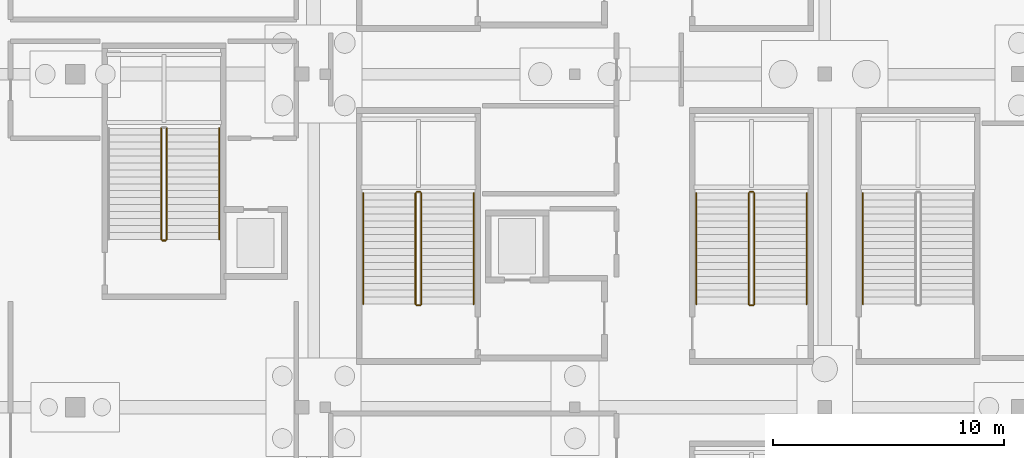
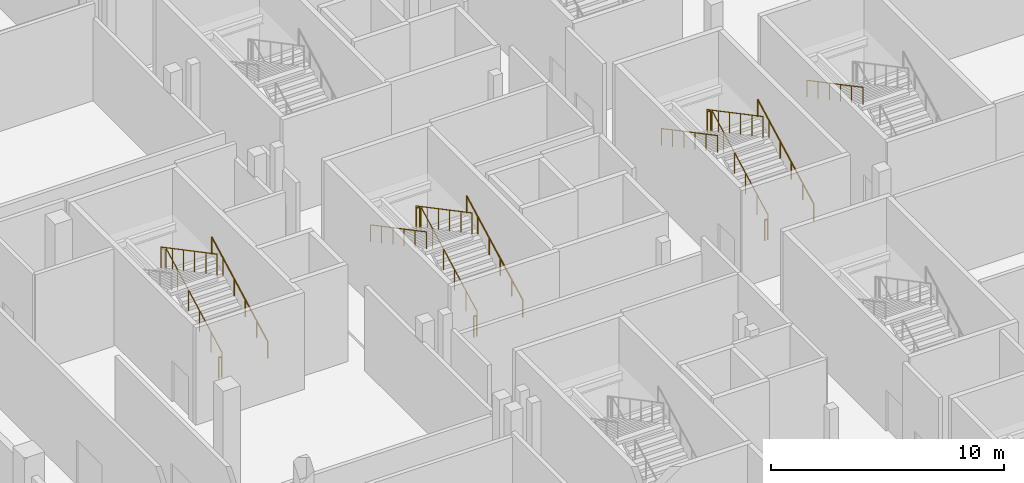
# One storey, part 66 of 89: 17 railings.
"""IFC4 building model written with IfcOpenShell, lengths in metres."""

from ifc_helpers import new_model, si_unit, direction, frame, origin, origin_2d, place, context, subcontext, project, spatial, circle, extrude, material, type_object, element, save


model = new_model("IFC4")

# Units and contexts
model_context = context("Model", 3, precision=1e-05, world=origin(), true_north=direction((0.0, 1.0)))
body_context = subcontext(model_context, "Body", "Model", "MODEL_VIEW")
ifc_project = project(units=[si_unit("LENGTHUNIT", "METRE"), si_unit("AREAUNIT", "SQUARE_METRE"), si_unit("VOLUMEUNIT", "CUBIC_METRE"), si_unit("PLANEANGLEUNIT", "RADIAN"), si_unit("MASSUNIT", "GRAM", prefix="KILO")], contexts=[model_context])

# Site, building, storey
site_placement = place(None, origin())
site = spatial("IfcSite", under=ifc_project, at=site_placement, CompositionType="ELEMENT")
building_placement = place(site_placement, origin())
building = spatial("IfcBuilding", under=site, at=building_placement, Name="Koshinbarg Plaza Stadium", CompositionType="ELEMENT")
storey_placement = place(building_placement, origin())
storey = spatial("IfcBuildingStorey", under=building, at=storey_placement, Name="L00", CompositionType="ELEMENT", Elevation=0.0)

# Railings
ifc_material_1 = material(Name="Galvanized painted steel guardrail", Category="steel")
railing_type_1 = type_object("IfcRailingType", Name="RL-GUARD-1100", PredefinedType="GUARDRAIL", material=ifc_material_1)
railing_1_placement = place(storey_placement, frame((28.760009765625, 87.56005859375, 0.158935546875)))
element("IfcRailing", 1, at=railing_1_placement, inside=storey, type_object=railing_type_1, Name="L00 C05 stair guard 1", PredefinedType="GUARDRAIL", context=body_context, shape_type="SweptSolid", body=[
    extrude(circle(Radius=0.02392578125, at=origin_2d()), frame((0.0, 0.0, 1.076171875), z_axis=(0.0, 0.883802130504, 0.467860870469), x_axis=(-1.0, 0.0, 0.0)), (0.0, 0.0, 1.0), 5.43115234375),
    extrude(circle(Radius=0.02099609375, at=origin_2d()), origin(), (0.0, 0.0, 1.0), 1.052001953125),
    extrude(circle(Radius=0.02099609375, at=origin_2d()), frame((0.0, 0.9599609375, 0.50830078125)), (0.0, 0.0, 1.0), 1.052001953125),
    extrude(circle(Radius=0.02099609375, at=origin_2d()), frame((0.0, 1.919921875, 1.016357421875)), (0.0, 0.0, 1.0), 1.052001953125),
    extrude(circle(Radius=0.02099609375, at=origin_2d()), frame((0.0, 2.880126953125, 1.524658203125)), (0.0, 0.0, 1.0), 1.052001953125),
    extrude(circle(Radius=0.02099609375, at=origin_2d()), frame((0.0, 3.840087890625, 2.03271484375)), (0.0, 0.0, 1.0), 1.052001953125),
    extrude(circle(Radius=0.02099609375, at=origin_2d()), frame((0.0, 4.800048828125, 2.541015625)), (0.0, 0.0, 1.0), 1.052001953125),
])
railing_2_placement = place(storey_placement, frame((28.7099609375, 92.409912109375, 2.699951171875)))
element("IfcRailing", 2, at=railing_2_placement, inside=storey, type_object=railing_type_1, Name="L00 C05 stair guard 2", PredefinedType="GUARDRAIL", context=body_context, shape_type="SweptSolid", body=[
    extrude(circle(Radius=0.02392578125, at=origin_2d()), frame((0.0, 0.0, 1.076171875), z_axis=(-1.0, 0.0, 0.0), x_axis=(0.0, -1.0, 0.0)), (0.0, 0.0, 1.0), 0.14990234375),
    extrude(circle(Radius=0.02099609375, at=origin_2d()), origin(), (0.0, 0.0, 1.0), 1.052001953125),
    extrude(circle(Radius=0.02099609375, at=origin_2d()), frame((-0.14990234375, 0.0, 0.0)), (0.0, 0.0, 1.0), 1.052001953125),
])
railing_3_placement = place(storey_placement, frame((28.510009765625, 92.360107421875, 2.85888671875)))
element("IfcRailing", 3, at=railing_3_placement, inside=storey, type_object=railing_type_1, Name="L00 C05 stair guard 3", PredefinedType="GUARDRAIL", context=body_context, shape_type="SweptSolid", body=[
    extrude(circle(Radius=0.02392578125, at=origin_2d()), frame((0.0, 0.0, 1.076171875), z_axis=(0.0, -0.883802130504, 0.467860870469), x_axis=(1.0, 0.0, 0.0)), (0.0, 0.0, 1.0), 5.43115234375),
    extrude(circle(Radius=0.02099609375, at=origin_2d()), origin(), (0.0, 0.0, 1.0), 1.052001953125),
    extrude(circle(Radius=0.02099609375, at=origin_2d()), frame((0.0, -0.9599609375, 0.50830078125)), (0.0, 0.0, 1.0), 1.052001953125),
    extrude(circle(Radius=0.02099609375, at=origin_2d()), frame((0.0, -1.919921875, 1.016357421875)), (0.0, 0.0, 1.0), 1.052001953125),
    extrude(circle(Radius=0.02099609375, at=origin_2d()), frame((0.0, -2.880126953125, 1.524658203125)), (0.0, 0.0, 1.0), 1.052001953125),
    extrude(circle(Radius=0.02099609375, at=origin_2d()), frame((0.0, -3.840087890625, 2.03271484375)), (0.0, 0.0, 1.0), 1.052001953125),
    extrude(circle(Radius=0.02099609375, at=origin_2d()), frame((0.0, -4.800048828125, 2.541015625)), (0.0, 0.0, 1.0), 1.052001953125),
])
railing_4_placement = place(storey_placement, frame((28.7099609375, 87.510009765625, 0.0)))
element("IfcRailing", 4, at=railing_4_placement, inside=storey, type_object=railing_type_1, Name="L00 C05 stair guard 4", PredefinedType="GUARDRAIL", context=body_context, shape_type="SweptSolid", body=[
    extrude(circle(Radius=0.02392578125, at=origin_2d()), frame((0.0, 0.0, 1.076171875), z_axis=(-1.0, 0.0, 0.0), x_axis=(0.0, -1.0, 0.0)), (0.0, 0.0, 1.0), 0.14990234375),
    extrude(circle(Radius=0.02099609375, at=origin_2d()), origin(), (0.0, 0.0, 1.0), 1.052001953125),
    extrude(circle(Radius=0.02099609375, at=origin_2d()), frame((-0.14990234375, 0.0, 0.0)), (0.0, 0.0, 1.0), 1.052001953125),
])
railing_5_placement = place(storey_placement, frame((17.760009765625, 90.360107421875, 0.158935546875)))
element("IfcRailing", 5, at=railing_5_placement, inside=storey, type_object=railing_type_1, Name="L00 C15 stair guard 1", PredefinedType="GUARDRAIL", context=body_context, shape_type="SweptSolid", body=[
    extrude(circle(Radius=0.02392578125, at=origin_2d()), frame((0.0, 0.0, 1.076171875), z_axis=(0.0, 0.883792290195, 0.467879458614), x_axis=(-1.0, 0.0, 0.0)), (0.0, 0.0, 1.0), 5.430908203125),
    extrude(circle(Radius=0.02099609375, at=origin_2d()), origin(), (0.0, 0.0, 1.0), 1.052001953125),
    extrude(circle(Radius=0.02099609375, at=origin_2d()), frame((0.0, 0.9599609375, 0.50830078125)), (0.0, 0.0, 1.0), 1.052001953125),
    extrude(circle(Radius=0.02099609375, at=origin_2d()), frame((0.0, 1.919921875, 1.016357421875)), (0.0, 0.0, 1.0), 1.052001953125),
    extrude(circle(Radius=0.02099609375, at=origin_2d()), frame((0.0, 2.8798828125, 1.524658203125)), (0.0, 0.0, 1.0), 1.052001953125),
    extrude(circle(Radius=0.02099609375, at=origin_2d()), frame((0.0, 3.83984375, 2.03271484375)), (0.0, 0.0, 1.0), 1.052001953125),
    extrude(circle(Radius=0.02099609375, at=origin_2d()), frame((0.0, 4.7998046875, 2.541015625)), (0.0, 0.0, 1.0), 1.052001953125),
])
railing_6_placement = place(storey_placement, frame((17.510009765625, 95.159912109375, 2.85888671875)))
element("IfcRailing", 6, at=railing_6_placement, inside=storey, type_object=railing_type_1, Name="L00 C15 stair guard 3", PredefinedType="GUARDRAIL", context=body_context, shape_type="SweptSolid", body=[
    extrude(circle(Radius=0.02392578125, at=origin_2d()), frame((0.0, 0.0, 1.076171875), z_axis=(0.0, -0.883792290195, 0.467879458614), x_axis=(1.0, 0.0, 0.0)), (0.0, 0.0, 1.0), 5.430908203125),
    extrude(circle(Radius=0.02099609375, at=origin_2d()), origin(), (0.0, 0.0, 1.0), 1.052001953125),
    extrude(circle(Radius=0.02099609375, at=origin_2d()), frame((0.0, -0.9599609375, 0.50830078125)), (0.0, 0.0, 1.0), 1.052001953125),
    extrude(circle(Radius=0.02099609375, at=origin_2d()), frame((0.0, -1.919921875, 1.016357421875)), (0.0, 0.0, 1.0), 1.052001953125),
    extrude(circle(Radius=0.02099609375, at=origin_2d()), frame((0.0, -2.8798828125, 1.524658203125)), (0.0, 0.0, 1.0), 1.052001953125),
    extrude(circle(Radius=0.02099609375, at=origin_2d()), frame((0.0, -3.83984375, 2.03271484375)), (0.0, 0.0, 1.0), 1.052001953125),
    extrude(circle(Radius=0.02099609375, at=origin_2d()), frame((0.0, -4.7998046875, 2.541015625)), (0.0, 0.0, 1.0), 1.052001953125),
])
railing_7_placement = place(storey_placement, frame((17.7099609375, 90.31005859375, 0.0)))
element("IfcRailing", 7, at=railing_7_placement, inside=storey, type_object=railing_type_1, Name="L00 C15 stair guard 4", PredefinedType="GUARDRAIL", context=body_context, shape_type="SweptSolid", body=[
    extrude(circle(Radius=0.02392578125, at=origin_2d()), frame((0.0, 0.0, 1.076171875), z_axis=(-1.0, 0.0, 0.0), x_axis=(0.0, -1.0, 0.0)), (0.0, 0.0, 1.0), 0.14990234375),
    extrude(circle(Radius=0.02099609375, at=origin_2d()), origin(), (0.0, 0.0, 1.0), 1.052001953125),
    extrude(circle(Radius=0.02099609375, at=origin_2d()), frame((-0.14990234375, 0.0, 0.0)), (0.0, 0.0, 1.0), 1.052001953125),
])
railing_8_placement = place(storey_placement, frame((43.159912109375, 87.56005859375, 0.158935546875)))
element("IfcRailing", 8, at=railing_8_placement, inside=storey, type_object=railing_type_1, Name="L00 VX05 stair guard 1", PredefinedType="GUARDRAIL", context=body_context, shape_type="SweptSolid", body=[
    extrude(circle(Radius=0.02392578125, at=origin_2d()), frame((0.0, 0.0, 1.076171875), z_axis=(0.0, 0.883802130504, 0.467860870469), x_axis=(-1.0, 0.0, 0.0)), (0.0, 0.0, 1.0), 5.43115234375),
    extrude(circle(Radius=0.02099609375, at=origin_2d()), origin(), (0.0, 0.0, 1.0), 1.052001953125),
    extrude(circle(Radius=0.02099609375, at=origin_2d()), frame((0.0, 0.9599609375, 0.50830078125)), (0.0, 0.0, 1.0), 1.052001953125),
    extrude(circle(Radius=0.02099609375, at=origin_2d()), frame((0.0, 1.919921875, 1.016357421875)), (0.0, 0.0, 1.0), 1.052001953125),
    extrude(circle(Radius=0.02099609375, at=origin_2d()), frame((0.0, 2.880126953125, 1.524658203125)), (0.0, 0.0, 1.0), 1.052001953125),
    extrude(circle(Radius=0.02099609375, at=origin_2d()), frame((0.0, 3.840087890625, 2.03271484375)), (0.0, 0.0, 1.0), 1.052001953125),
    extrude(circle(Radius=0.02099609375, at=origin_2d()), frame((0.0, 4.800048828125, 2.541015625)), (0.0, 0.0, 1.0), 1.052001953125),
])
railing_9_placement = place(storey_placement, frame((43.110107421875, 92.409912109375, 2.699951171875)))
element("IfcRailing", 9, at=railing_9_placement, inside=storey, type_object=railing_type_1, Name="L00 VX05 stair guard 2", PredefinedType="GUARDRAIL", context=body_context, shape_type="SweptSolid", body=[
    extrude(circle(Radius=0.02392578125, at=origin_2d()), frame((0.0, 0.0, 1.076171875), z_axis=(-1.0, 0.0, 0.0), x_axis=(0.0, -1.0, 0.0)), (0.0, 0.0, 1.0), 0.150146484375),
    extrude(circle(Radius=0.02099609375, at=origin_2d()), origin(), (0.0, 0.0, 1.0), 1.052001953125),
    extrude(circle(Radius=0.02099609375, at=origin_2d()), frame((-0.150146484375, 0.0, 0.0)), (0.0, 0.0, 1.0), 1.052001953125),
])
railing_10_placement = place(storey_placement, frame((42.909912109375, 92.360107421875, 2.85888671875)))
element("IfcRailing", 10, at=railing_10_placement, inside=storey, type_object=railing_type_1, Name="L00 VX05 stair guard 3", PredefinedType="GUARDRAIL", context=body_context, shape_type="SweptSolid", body=[
    extrude(circle(Radius=0.02392578125, at=origin_2d()), frame((0.0, 0.0, 1.076171875), z_axis=(0.0, -0.883802130504, 0.467860870469), x_axis=(1.0, 0.0, 0.0)), (0.0, 0.0, 1.0), 5.43115234375),
    extrude(circle(Radius=0.02099609375, at=origin_2d()), origin(), (0.0, 0.0, 1.0), 1.052001953125),
    extrude(circle(Radius=0.02099609375, at=origin_2d()), frame((0.0, -0.9599609375, 0.50830078125)), (0.0, 0.0, 1.0), 1.052001953125),
    extrude(circle(Radius=0.02099609375, at=origin_2d()), frame((0.0, -1.919921875, 1.016357421875)), (0.0, 0.0, 1.0), 1.052001953125),
    extrude(circle(Radius=0.02099609375, at=origin_2d()), frame((0.0, -2.880126953125, 1.524658203125)), (0.0, 0.0, 1.0), 1.052001953125),
    extrude(circle(Radius=0.02099609375, at=origin_2d()), frame((0.0, -3.840087890625, 2.03271484375)), (0.0, 0.0, 1.0), 1.052001953125),
    extrude(circle(Radius=0.02099609375, at=origin_2d()), frame((0.0, -4.800048828125, 2.541015625)), (0.0, 0.0, 1.0), 1.052001953125),
])
railing_11_placement = place(storey_placement, frame((43.110107421875, 87.510009765625, 0.0)))
element("IfcRailing", 11, at=railing_11_placement, inside=storey, type_object=railing_type_1, Name="L00 VX05 stair guard 4", PredefinedType="GUARDRAIL", context=body_context, shape_type="SweptSolid", body=[
    extrude(circle(Radius=0.02392578125, at=origin_2d()), frame((0.0, 0.0, 1.076171875), z_axis=(-1.0, 0.0, 0.0), x_axis=(0.0, -1.0, 0.0)), (0.0, 0.0, 1.0), 0.150146484375),
    extrude(circle(Radius=0.02099609375, at=origin_2d()), origin(), (0.0, 0.0, 1.0), 1.052001953125),
    extrude(circle(Radius=0.02099609375, at=origin_2d()), frame((-0.150146484375, 0.0, 0.0)), (0.0, 0.0, 1.0), 1.052001953125),
])
ifc_material_2 = material(Name="Brushed stainless steel handrail", Category="steel")
railing_type_2 = type_object("IfcRailingType", Name="RL-HAND-900", PredefinedType="HANDRAIL", material=ifc_material_2)
railing_12_placement = place(storey_placement, frame((31.02001953125, 87.56005859375, 0.158935546875)))
element("IfcRailing", 12, at=railing_12_placement, inside=storey, type_object=railing_type_2, Name="L00 C05 stair handrail 1", PredefinedType="HANDRAIL", context=body_context, shape_type="SweptSolid", body=[
    extrude(circle(Radius=0.02392578125, at=origin_2d()), frame((0.0, 0.0, 0.8759765625), z_axis=(0.0, 0.883802130504, 0.467860870469), x_axis=(-1.0, 0.0, 0.0)), (0.0, 0.0, 1.0), 5.43115234375),
    extrude(circle(Radius=0.02099609375, at=origin_2d()), origin(), (0.0, 0.0, 1.0), 0.851806640625),
    extrude(circle(Radius=0.02099609375, at=origin_2d()), frame((0.0, 0.9599609375, 0.50830078125)), (0.0, 0.0, 1.0), 0.851806640625),
    extrude(circle(Radius=0.02099609375, at=origin_2d()), frame((0.0, 1.919921875, 1.016357421875)), (0.0, 0.0, 1.0), 0.851806640625),
    extrude(circle(Radius=0.02099609375, at=origin_2d()), frame((0.0, 2.880126953125, 1.524658203125)), (0.0, 0.0, 1.0), 0.851806640625),
    extrude(circle(Radius=0.02099609375, at=origin_2d()), frame((0.0, 3.840087890625, 2.03271484375)), (0.0, 0.0, 1.0), 0.851806640625),
    extrude(circle(Radius=0.02099609375, at=origin_2d()), frame((0.0, 4.800048828125, 2.541015625)), (0.0, 0.0, 1.0), 0.851806640625),
])
railing_13_placement = place(storey_placement, frame((26.25, 92.360107421875, 2.85888671875)))
element("IfcRailing", 13, at=railing_13_placement, inside=storey, type_object=railing_type_2, Name="L00 C05 stair handrail 2", PredefinedType="HANDRAIL", context=body_context, shape_type="SweptSolid", body=[
    extrude(circle(Radius=0.02392578125, at=origin_2d()), frame((0.0, 0.0, 0.8759765625), z_axis=(0.0, -0.883802130504, 0.467860870469), x_axis=(1.0, 0.0, 0.0)), (0.0, 0.0, 1.0), 5.43115234375),
    extrude(circle(Radius=0.02099609375, at=origin_2d()), origin(), (0.0, 0.0, 1.0), 0.851806640625),
    extrude(circle(Radius=0.02099609375, at=origin_2d()), frame((0.0, -0.9599609375, 0.50830078125)), (0.0, 0.0, 1.0), 0.851806640625),
    extrude(circle(Radius=0.02099609375, at=origin_2d()), frame((0.0, -1.919921875, 1.016357421875)), (0.0, 0.0, 1.0), 0.851806640625),
    extrude(circle(Radius=0.02099609375, at=origin_2d()), frame((0.0, -2.880126953125, 1.524658203125)), (0.0, 0.0, 1.0), 0.851806640625),
    extrude(circle(Radius=0.02099609375, at=origin_2d()), frame((0.0, -3.840087890625, 2.03271484375)), (0.0, 0.0, 1.0), 0.851806640625),
    extrude(circle(Radius=0.02099609375, at=origin_2d()), frame((0.0, -4.800048828125, 2.541015625)), (0.0, 0.0, 1.0), 0.851806640625),
])
railing_14_placement = place(storey_placement, frame((20.02001953125, 90.360107421875, 0.158935546875)))
element("IfcRailing", 14, at=railing_14_placement, inside=storey, type_object=railing_type_2, Name="L00 C15 stair handrail 1", PredefinedType="HANDRAIL", context=body_context, shape_type="SweptSolid", body=[
    extrude(circle(Radius=0.02392578125, at=origin_2d()), frame((0.0, 0.0, 0.8759765625), z_axis=(0.0, 0.883792290195, 0.467879458614), x_axis=(-1.0, 0.0, 0.0)), (0.0, 0.0, 1.0), 5.430908203125),
    extrude(circle(Radius=0.02099609375, at=origin_2d()), origin(), (0.0, 0.0, 1.0), 0.851806640625),
    extrude(circle(Radius=0.02099609375, at=origin_2d()), frame((0.0, 0.9599609375, 0.50830078125)), (0.0, 0.0, 1.0), 0.851806640625),
    extrude(circle(Radius=0.02099609375, at=origin_2d()), frame((0.0, 1.919921875, 1.016357421875)), (0.0, 0.0, 1.0), 0.851806640625),
    extrude(circle(Radius=0.02099609375, at=origin_2d()), frame((0.0, 2.8798828125, 1.524658203125)), (0.0, 0.0, 1.0), 0.851806640625),
    extrude(circle(Radius=0.02099609375, at=origin_2d()), frame((0.0, 3.83984375, 2.03271484375)), (0.0, 0.0, 1.0), 0.851806640625),
    extrude(circle(Radius=0.02099609375, at=origin_2d()), frame((0.0, 4.7998046875, 2.541015625)), (0.0, 0.0, 1.0), 0.851806640625),
])
railing_15_placement = place(storey_placement, frame((45.419921875, 87.56005859375, 0.158935546875)))
element("IfcRailing", 15, at=railing_15_placement, inside=storey, type_object=railing_type_2, Name="L00 VX05 stair handrail 1", PredefinedType="HANDRAIL", context=body_context, shape_type="SweptSolid", body=[
    extrude(circle(Radius=0.02392578125, at=origin_2d()), frame((0.0, 0.0, 0.8759765625), z_axis=(0.0, 0.883802130504, 0.467860870469), x_axis=(-1.0, 0.0, 0.0)), (0.0, 0.0, 1.0), 5.43115234375),
    extrude(circle(Radius=0.02099609375, at=origin_2d()), origin(), (0.0, 0.0, 1.0), 0.851806640625),
    extrude(circle(Radius=0.02099609375, at=origin_2d()), frame((0.0, 0.9599609375, 0.50830078125)), (0.0, 0.0, 1.0), 0.851806640625),
    extrude(circle(Radius=0.02099609375, at=origin_2d()), frame((0.0, 1.919921875, 1.016357421875)), (0.0, 0.0, 1.0), 0.851806640625),
    extrude(circle(Radius=0.02099609375, at=origin_2d()), frame((0.0, 2.880126953125, 1.524658203125)), (0.0, 0.0, 1.0), 0.851806640625),
    extrude(circle(Radius=0.02099609375, at=origin_2d()), frame((0.0, 3.840087890625, 2.03271484375)), (0.0, 0.0, 1.0), 0.851806640625),
    extrude(circle(Radius=0.02099609375, at=origin_2d()), frame((0.0, 4.800048828125, 2.541015625)), (0.0, 0.0, 1.0), 0.851806640625),
])
for number, where, name in (
    (16, (40.64990234375, 92.360107421875, 2.85888671875), "L00 VX05 stair handrail 2"),
    (17, (47.85009765625, 92.360107421875, 2.85888671875), "L00 VL03 stair handrail 2"),
):
    element("IfcRailing", number, at=place(storey_placement, frame(where)), inside=storey, type_object=railing_type_2, Name=name, PredefinedType="HANDRAIL", context=body_context, shape_type="SweptSolid", body=[
        extrude(circle(Radius=0.02392578125, at=origin_2d()), frame((0.0, 0.0, 0.8759765625), z_axis=(0.0, -0.883802130504, 0.467860870469), x_axis=(1.0, 0.0, 0.0)), (0.0, 0.0, 1.0), 5.43115234375),
        extrude(circle(Radius=0.02099609375, at=origin_2d()), origin(), (0.0, 0.0, 1.0), 0.851806640625),
        extrude(circle(Radius=0.02099609375, at=origin_2d()), frame((0.0, -0.9599609375, 0.50830078125)), (0.0, 0.0, 1.0), 0.851806640625),
        extrude(circle(Radius=0.02099609375, at=origin_2d()), frame((0.0, -1.919921875, 1.016357421875)), (0.0, 0.0, 1.0), 0.851806640625),
        extrude(circle(Radius=0.02099609375, at=origin_2d()), frame((0.0, -2.880126953125, 1.524658203125)), (0.0, 0.0, 1.0), 0.851806640625),
        extrude(circle(Radius=0.02099609375, at=origin_2d()), frame((0.0, -3.840087890625, 2.03271484375)), (0.0, 0.0, 1.0), 0.851806640625),
        extrude(circle(Radius=0.02099609375, at=origin_2d()), frame((0.0, -4.800048828125, 2.541015625)), (0.0, 0.0, 1.0), 0.851806640625),
    ])

save(model, "model.ifc")
